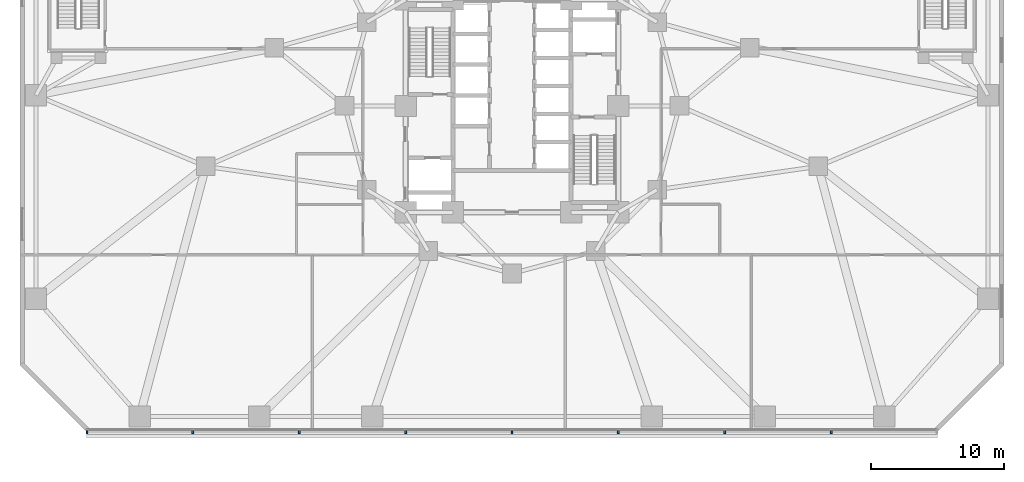
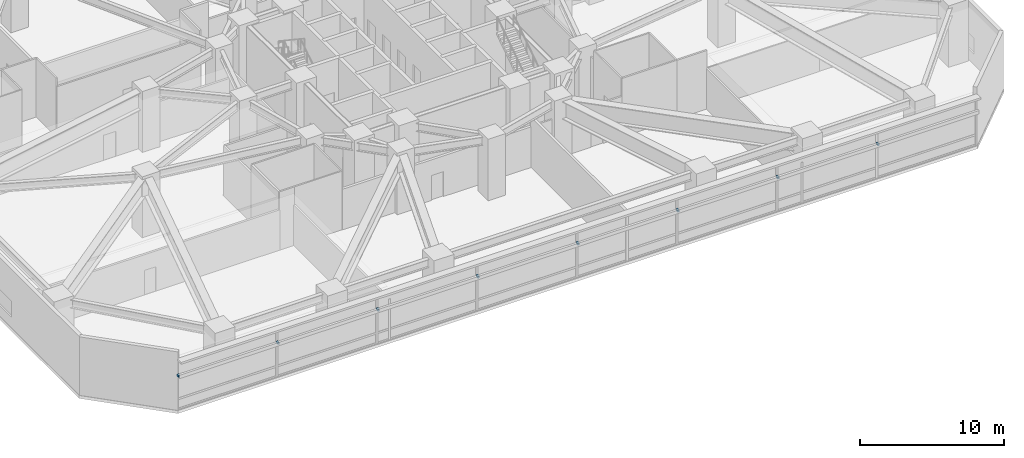
# One storey, part 20 of 28: 8 discrete accessories.
"""IFC4 building model written with IfcOpenShell, lengths in metres."""

from ifc_helpers import new_model, si_unit, direction, frame, origin, origin_2d, place, context, subcontext, project, spatial, rectangle, extrude, material, type_object, element, save


model = new_model("IFC4")

# Units and contexts
model_context = context("Model", 3, precision=1e-05, world=origin(), true_north=direction((0.0, 1.0)))
body_context = subcontext(model_context, "Body", "Model", "MODEL_VIEW")
ifc_project = project(units=[si_unit("LENGTHUNIT", "METRE"), si_unit("AREAUNIT", "SQUARE_METRE"), si_unit("VOLUMEUNIT", "CUBIC_METRE"), si_unit("PLANEANGLEUNIT", "RADIAN"), si_unit("MASSUNIT", "GRAM", prefix="KILO")], contexts=[model_context])

# Site, building, storey
site_placement = place(None, origin())
site = spatial("IfcSite", under=ifc_project, at=site_placement, CompositionType="ELEMENT")
building_placement = place(site_placement, origin())
building = spatial("IfcBuilding", under=site, at=building_placement, Name="Terralouvre Media Tower", CompositionType="ELEMENT")
storey_placement = place(building_placement, frame((0.0, 0.0, 10.39990234375)))
storey = spatial("IfcBuildingStorey", under=building, at=storey_placement, Name="L02", CompositionType="ELEMENT", Elevation=10.39990234375)

# Discrete accessories
ifc_material = material(Name="Anodised extruded aluminium 6063-T6", Category="aluminium")
discrete_accessory_type = type_object("IfcDiscreteAccessoryType", Name="Mullion Stand-Off Baguette Fixing Bracket BK-01", PredefinedType="BRACKET", material=ifc_material)
for number, where, z_axis, x_axis, name in (
    (1, (-31.96240234375, -24.52001953125, 2.87451171875), (0.0, 0.0, 1.0), (1.0, 0.0, 0.0), "CW-L02-F0 Baguette Outrigger Bracket 1.01"),
    (2, (-24.0, -24.52001953125, 2.87451171875), (0.0, 0.0, 1.0), (1.0, 0.0, 0.0), "CW-L02-F0 Baguette Outrigger Bracket 1.02"),
    (3, (-16.0, -24.52001953125, 2.87451171875), (0.0, 0.0, 1.0), (1.0, 0.0, 0.0), "CW-L02-F0 Baguette Outrigger Bracket 1.03"),
    (4, (-8.0, -24.52001953125, 2.87451171875), (0.0, 0.0, 1.0), (1.0, 0.0, 0.0), "CW-L02-F0 Baguette Outrigger Bracket 1.04"),
    (5, (0.0, -24.52001953125, 2.87451171875), (0.0, 0.0, 1.0), (1.0, 0.0, 0.0), "CW-L02-F0 Baguette Outrigger Bracket 1.05"),
    (6, (8.0, -24.52001953125, 2.87451171875), (0.0, 0.0, 1.0), (1.0, 0.0, 0.0), "CW-L02-F0 Baguette Outrigger Bracket 1.06"),
    (7, (16.0, -24.52001953125, 2.87451171875), (0.0, 0.0, 1.0), (1.0, 0.0, 0.0), "CW-L02-F0 Baguette Outrigger Bracket 1.07"),
    (8, (24.0, -24.52001953125, 2.87451171875), (0.0, 0.0, 1.0), (1.0, 0.0, 0.0), "CW-L02-F0 Baguette Outrigger Bracket 1.08"),
):
    element("IfcDiscreteAccessory", number, at=place(storey_placement, frame(where, z_axis=z_axis, x_axis=x_axis)), inside=storey, type_object=discrete_accessory_type, Name=name, PredefinedType="BRACKET", context=body_context, shape_type="SweptSolid", body=[
        extrude(rectangle(XDim=0.139892578125, YDim=0.239990234375, at=origin_2d()), origin(), (0.0, 0.0, 1.0), 0.179931640625),
    ])

save(model, "model.ifc")
